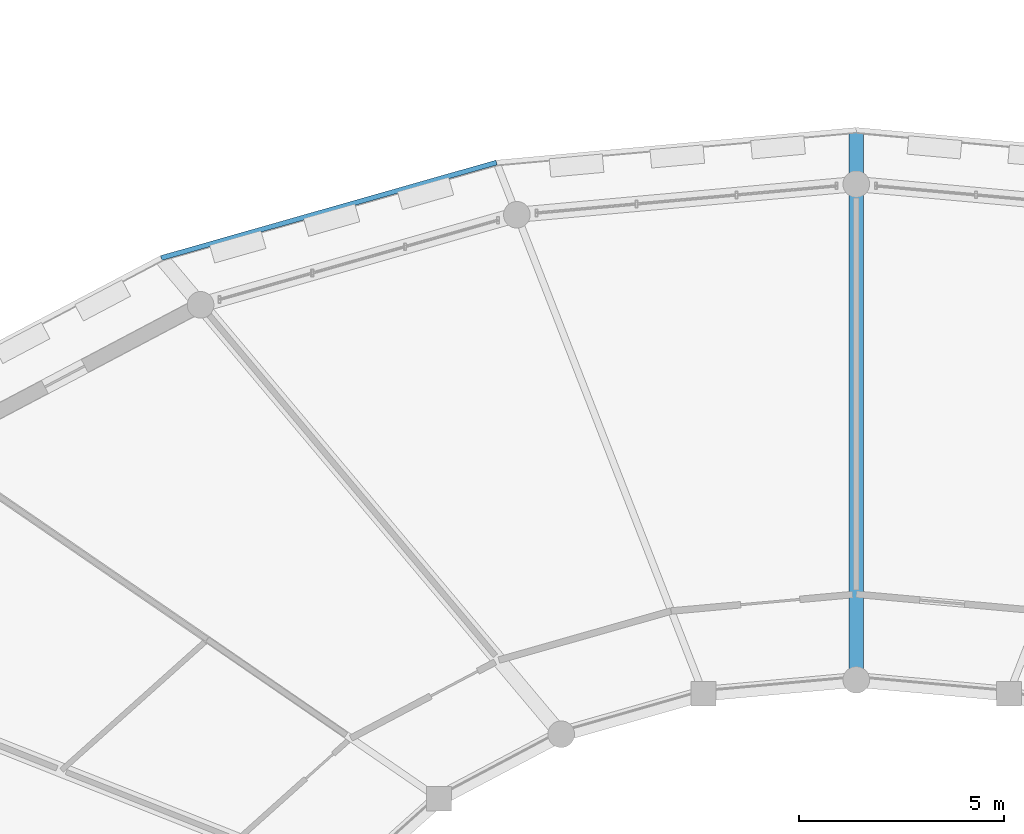
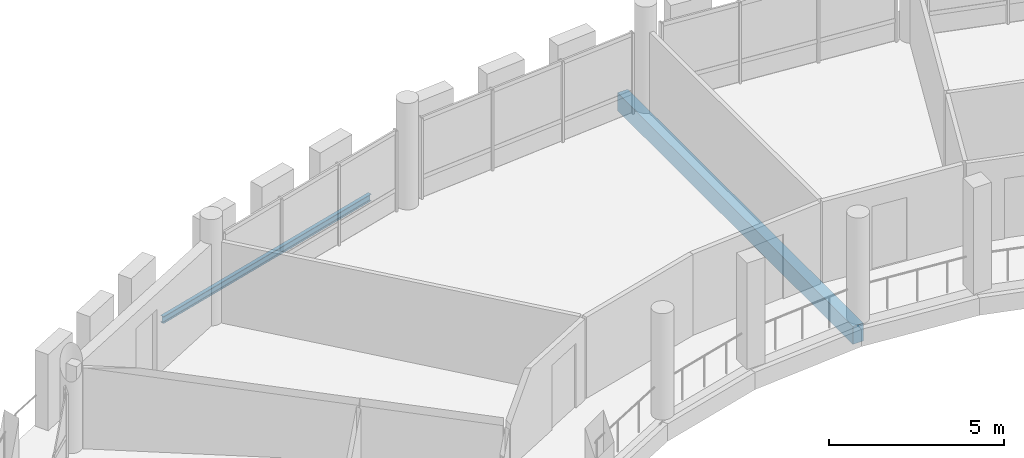
# One storey, part 47 of 84: 2 beams.
"""IFC4 building model written with IfcOpenShell, lengths in metres."""

from ifc_helpers import new_model, si_unit, direction, frame, origin, origin_2d, place, context, subcontext, project, spatial, rectangle, i_section, extrude, material, material_profile, profile_set, type_object, element, save


model = new_model("IFC4")

# Units and contexts
model_context = context("Model", 3, precision=1e-05, world=origin(), true_north=direction((0.0, 1.0)))
body_context = subcontext(model_context, "Body", "Model", "MODEL_VIEW")
ifc_project = project(units=[si_unit("LENGTHUNIT", "METRE"), si_unit("AREAUNIT", "SQUARE_METRE"), si_unit("VOLUMEUNIT", "CUBIC_METRE"), si_unit("PLANEANGLEUNIT", "RADIAN"), si_unit("MASSUNIT", "GRAM", prefix="KILO")], contexts=[model_context])

# Site, building, storey
site_placement = place(None, origin())
site = spatial("IfcSite", under=ifc_project, at=site_placement, CompositionType="ELEMENT")
building_placement = place(site_placement, origin())
building = spatial("IfcBuilding", under=site, at=building_placement, Name="Zornivar Specialist Clinic", CompositionType="ELEMENT")
storey_placement = place(building_placement, frame((0.0, 0.0, 12.300048828125)))
storey = spatial("IfcBuildingStorey", under=building, at=storey_placement, Name="L03", CompositionType="ELEMENT", Elevation=12.300048828125)

# Beams
ifc_material_1 = material(Name="Concrete C30/37", Category="concrete")
ifc_material_profile_1 = material_profile(ifc_material_1, rectangle(XDim=0.35009765625, YDim=0.6201171875, at=origin_2d()), Name="RC 350x620")
ifc_profile_set_1 = profile_set([ifc_material_profile_1], Name="Concrete C30/37")
beam_type_1 = type_object("IfcBeamType", Name="BM-RC-CANT-350x620", PredefinedType="BEAM", material=ifc_profile_set_1)
beam_1_placement = place(storey_placement, frame((93.60009765625, 67.5, -0.550048828125), z_axis=(0.0, 1.0, 0.0), x_axis=(-1.0, 0.0, 0.0)))
element("IfcBeam", 1, at=beam_1_placement, inside=storey, type_object=beam_type_1, Name="bm:V1:L03:radcant:06", PredefinedType="BEAM", context=body_context, shape_type="SweptSolid", body=[
    extrude(rectangle(XDim=0.35009765625, YDim=0.6201171875, at=origin_2d()), origin(), (0.0, 0.0, 1.0), 13.419921875),
])
ifc_material_2 = material(Name="Steel S355J2", Category="steel")
ifc_material_profile_2 = material_profile(ifc_material_2, i_section(OverallWidth=0.1201171875, OverallDepth=0.239990234375, WebThickness=0.006103515625, FlangeThickness=0.009765625, FilletRadius=0.014892578125, at=origin_2d()), Name="IPE 240")
ifc_profile_set_2 = profile_set([ifc_material_profile_2], Name="Steel S355J2")
beam_type_2 = type_object("IfcBeamType", Name="BM-STL-IPE240", PredefinedType="JOIST", material=ifc_profile_set_2)
beam_2_placement = place(storey_placement, frame((84.821044921875, 80.125, -0.360107421875), z_axis=(-0.961783454314, -0.273811225131, 0.0), x_axis=(0.273811225131, -0.961783454314, 0.0)))
element("IfcBeam", 2, at=beam_2_placement, inside=storey, type_object=beam_type_2, Name="bm:V1:L03:balring:07", PredefinedType="JOIST", context=body_context, shape_type="SweptSolid", body=[
    extrude(i_section(OverallWidth=0.1201171875, OverallDepth=0.239990234375, WebThickness=0.006103515625, FlangeThickness=0.009765625, FilletRadius=0.014892578125, at=origin_2d()), origin(), (0.0, 0.0, 1.0), 8.50634765625),
])

save(model, "model.ifc")
